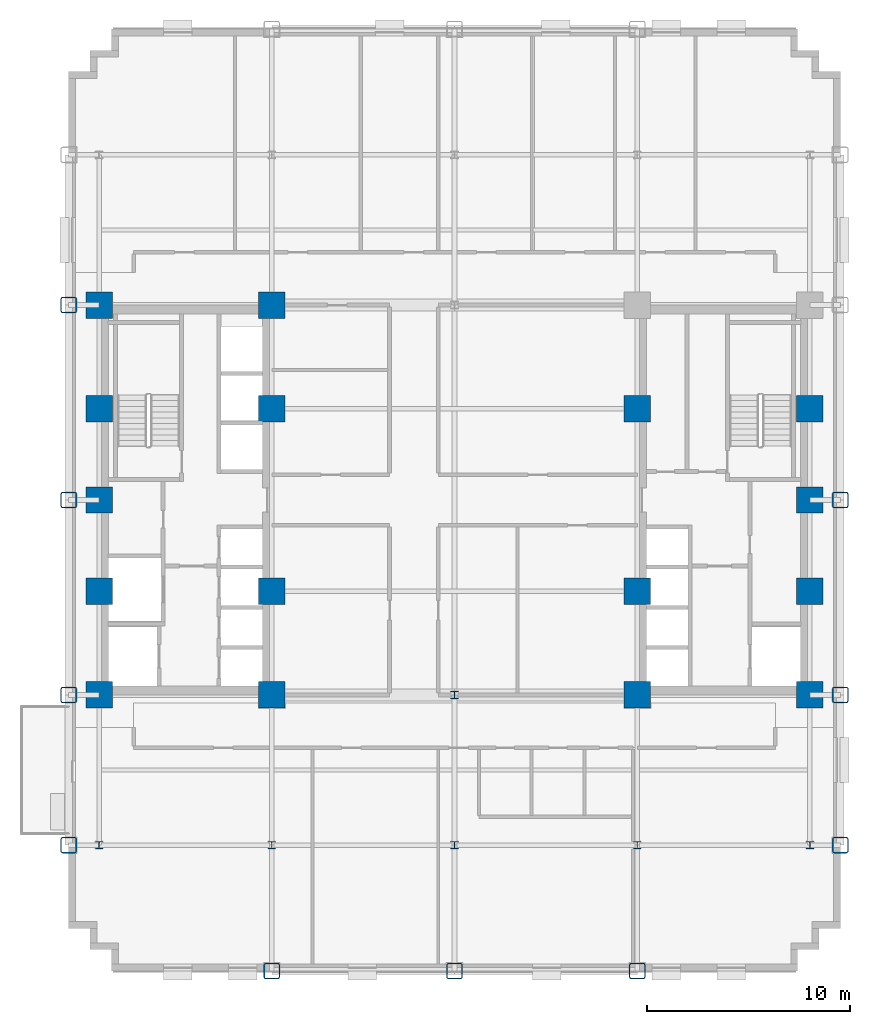
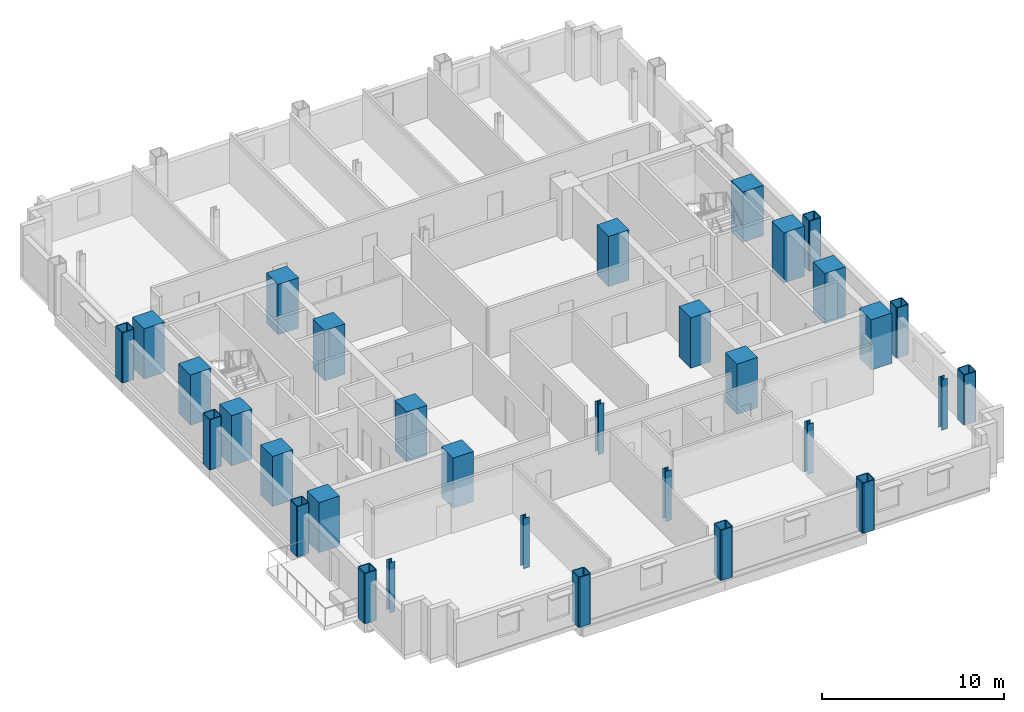
# One storey, part 1 of 12: 32 columns.
"""IFC4 building model written with IfcOpenShell, lengths in metres."""

from ifc_helpers import new_model, si_unit, direction, frame, origin, origin_2d, place, context, subcontext, project, spatial, rectangle, hollow_rectangle, i_section, extrude, material, material_profile, profile_set, type_object, element, save


model = new_model("IFC4")

# Units and contexts
model_context = context("Model", 3, precision=1e-05, world=origin(), true_north=direction((0.0, 1.0)))
body_context = subcontext(model_context, "Body", "Model", "MODEL_VIEW")
ifc_project = project(units=[si_unit("LENGTHUNIT", "METRE"), si_unit("AREAUNIT", "SQUARE_METRE"), si_unit("VOLUMEUNIT", "CUBIC_METRE"), si_unit("PLANEANGLEUNIT", "RADIAN"), si_unit("MASSUNIT", "GRAM", prefix="KILO")], contexts=[model_context])

# Site, building, storey
site_placement = place(None, origin())
site = spatial("IfcSite", under=ifc_project, at=site_placement, CompositionType="ELEMENT")
building_placement = place(site_placement, origin())
building = spatial("IfcBuilding", under=site, at=building_placement, Name="Nuvemarco Arch Tower", CompositionType="ELEMENT")
storey_placement = place(building_placement, frame((0.0, 0.0, 38.550048828125)))
storey = spatial("IfcBuildingStorey", under=building, at=storey_placement, Name="L09", CompositionType="ELEMENT", Elevation=38.550048828125)

# Columns
ifc_material_1 = material(Name="Concrete C60/75", Category="concrete")
ifc_material_profile_1 = material_profile(ifc_material_1, rectangle(XDim=1.300048828125, YDim=1.300048828125, at=origin_2d()), Name="RC-COL-1300x1300")
ifc_profile_set_1 = profile_set([ifc_material_profile_1], Name="Concrete C60/75")
column_type_1 = type_object("IfcColumnType", Name="COL-CORE-1300", PredefinedType="COLUMN", material=ifc_profile_set_1)
for number, where, z_axis, x_axis, name in (
    (1, (-17.5, -9.60009765625, 0.0), (0.0, 0.0, 1.0), (1.0, 0.0, 0.0), "L09 column CC_-17.5_-9.6"),
    (2, (-17.5, -4.5, 0.0), (0.0, 0.0, 1.0), (1.0, 0.0, 0.0), "L09 column CC_-17.5_-4.5"),
    (3, (-17.5, 4.5, 0.0), (0.0, 0.0, 1.0), (1.0, 0.0, 0.0), "L09 column CC_-17.5_+4.5"),
    (4, (-17.5, 9.60009765625, 0.0), (0.0, 0.0, 1.0), (1.0, 0.0, 0.0), "L09 column CC_-17.5_+9.6"),
    (5, (-9.0, -9.60009765625, 0.0), (0.0, 0.0, 1.0), (1.0, 0.0, 0.0), "L09 column CC_-9.0_-9.6"),
    (6, (-9.0, -4.5, 0.0), (0.0, 0.0, 1.0), (1.0, 0.0, 0.0), "L09 column CC_-9.0_-4.5"),
    (7, (-9.0, 4.5, 0.0), (0.0, 0.0, 1.0), (1.0, 0.0, 0.0), "L09 column CC_-9.0_+4.5"),
    (8, (-9.0, 9.60009765625, 0.0), (0.0, 0.0, 1.0), (1.0, 0.0, 0.0), "L09 column CC_-9.0_+9.6"),
    (9, (9.0, -9.60009765625, 0.0), (0.0, 0.0, 1.0), (1.0, 0.0, 0.0), "L09 column CC_+9.0_-9.6"),
    (10, (9.0, -4.5, 0.0), (0.0, 0.0, 1.0), (1.0, 0.0, 0.0), "L09 column CC_+9.0_-4.5"),
    (11, (9.0, 4.5, 0.0), (0.0, 0.0, 1.0), (1.0, 0.0, 0.0), "L09 column CC_+9.0_+4.5"),
    (12, (17.5, -9.60009765625, 0.0), (0.0, 0.0, 1.0), (1.0, 0.0, 0.0), "L09 column CC_+17.5_-9.6"),
    (13, (17.5, -4.5, 0.0), (0.0, 0.0, 1.0), (1.0, 0.0, 0.0), "L09 column CC_+17.5_-4.5"),
    (14, (17.5, 4.5, 0.0), (0.0, 0.0, 1.0), (1.0, 0.0, 0.0), "L09 column CC_+17.5_+4.5"),
    (15, (-17.5, 0.0, 0.0), (0.0, 0.0, 1.0), (1.0, 0.0, 0.0), "L09 column CC_-17.5_+0.0"),
    (16, (17.5, 0.0, 0.0), (0.0, 0.0, 1.0), (1.0, 0.0, 0.0), "L09 column CC_+17.5_+0.0"),
):
    element("IfcColumn", number, at=place(storey_placement, frame(where, z_axis=z_axis, x_axis=x_axis)), inside=storey, type_object=column_type_1, Name=name, PredefinedType="COLUMN", context=body_context, shape_type="SweptSolid", body=[
        extrude(rectangle(XDim=1.300048828125, YDim=1.300048828125, at=origin_2d()), origin(), (0.0, 0.0, 1.0), 3.369873046875),
    ])
ifc_material_2 = material(Name="Steel S460", Category="steel")
ifc_material_profile_2 = material_profile(ifc_material_2, hollow_rectangle(XDim=0.800048828125, YDim=0.800048828125, WallThickness=0.054931640625, InnerFilletRadius=0.054931640625, OuterFilletRadius=0.110107421875, at=origin_2d()), Name="SHS800x800x55")
ifc_profile_set_2 = profile_set([ifc_material_profile_2], Name="Steel S460")
column_type_2 = type_object("IfcColumnType", Name="COL-EXO-800", PredefinedType="COLUMN", material=ifc_profile_set_2)
for number, where, z_axis, x_axis, name in (
    (17, (-19.0, -17.0, 0.0), (0.0, 0.0, 1.0), (1.0, 0.0, 0.0), "L09 column CX_-19.0_-17.0"),
    (18, (-19.0, -9.60009765625, 0.0), (0.0, 0.0, 1.0), (1.0, 0.0, 0.0), "L09 column CX_-19.0_-9.6"),
    (19, (-19.0, 0.0, 0.0), (0.0, 0.0, 1.0), (1.0, 0.0, 0.0), "L09 column CX_-19.0_+0.0"),
    (20, (-19.0, 9.60009765625, 0.0), (0.0, 0.0, 1.0), (1.0, 0.0, 0.0), "L09 column CX_-19.0_+9.6"),
    (21, (19.0, -17.0, 0.0), (0.0, 0.0, 1.0), (1.0, 0.0, 0.0), "L09 column CX_+19.0_-17.0"),
    (22, (19.0, -9.60009765625, 0.0), (0.0, 0.0, 1.0), (1.0, 0.0, 0.0), "L09 column CX_+19.0_-9.6"),
    (23, (19.0, 0.0, 0.0), (0.0, 0.0, 1.0), (1.0, 0.0, 0.0), "L09 column CX_+19.0_+0.0"),
    (24, (-9.0, -23.199951171875, 0.0), (0.0, 0.0, 1.0), (1.0, 0.0, 0.0), "L09 column CY_-9.0_-23.2"),
    (25, (0.0, -23.199951171875, 0.0), (0.0, 0.0, 1.0), (1.0, 0.0, 0.0), "L09 column CY_+0.0_-23.2"),
    (26, (9.0, -23.199951171875, 0.0), (0.0, 0.0, 1.0), (1.0, 0.0, 0.0), "L09 column CY_+9.0_-23.2"),
):
    element("IfcColumn", number, at=place(storey_placement, frame(where, z_axis=z_axis, x_axis=x_axis)), inside=storey, type_object=column_type_2, Name=name, PredefinedType="COLUMN", context=body_context, shape_type="SweptSolid", body=[
        extrude(hollow_rectangle(XDim=0.800048828125, YDim=0.800048828125, WallThickness=0.054931640625, InnerFilletRadius=0.054931640625, OuterFilletRadius=0.110107421875, at=origin_2d()), origin(), (0.0, 0.0, 1.0), 3.369873046875),
    ])
ifc_material_3 = material(Name="Steel S355", Category="steel")
ifc_material_profile_3 = material_profile(ifc_material_3, i_section(OverallWidth=0.360107421875, OverallDepth=0.360107421875, WebThickness=0.0205078125, FlangeThickness=0.0205078125, FilletRadius=0.01806640625, at=origin_2d()), Name="HP360x174")
ifc_profile_set_3 = profile_set([ifc_material_profile_3], Name="Steel S355")
column_type_3 = type_object("IfcColumnType", Name="COL-STL-HP360", PredefinedType="COLUMN", material=ifc_profile_set_3)
for number, where, z_axis, x_axis, name in (
    (27, (0.0, -17.0, 0.0), (0.0, 0.0, 1.0), (1.0, 0.0, 0.0), "L09 column CI_+0.0_-17.0"),
    (28, (0.0, -9.60009765625, 0.0), (0.0, 0.0, 1.0), (1.0, 0.0, 0.0), "L09 column CI_+0.0_-9.6"),
    (29, (-17.5, -17.0, 0.0), (0.0, 0.0, 1.0), (1.0, 0.0, 0.0), "L09 column CI_-17.5_-17.0"),
    (30, (-9.0, -17.0, 0.0), (0.0, 0.0, 1.0), (1.0, 0.0, 0.0), "L09 column CI_-9.0_-17.0"),
    (31, (9.0, -17.0, 0.0), (0.0, 0.0, 1.0), (1.0, 0.0, 0.0), "L09 column CI_+9.0_-17.0"),
    (32, (17.5, -17.0, 0.0), (0.0, 0.0, 1.0), (1.0, 0.0, 0.0), "L09 column CI_+17.5_-17.0"),
):
    element("IfcColumn", number, at=place(storey_placement, frame(where, z_axis=z_axis, x_axis=x_axis)), inside=storey, type_object=column_type_3, Name=name, PredefinedType="COLUMN", context=body_context, shape_type="SweptSolid", body=[
        extrude(i_section(OverallWidth=0.360107421875, OverallDepth=0.360107421875, WebThickness=0.0205078125, FlangeThickness=0.0205078125, FilletRadius=0.01806640625, at=origin_2d()), origin(), (0.0, 0.0, 1.0), 3.369873046875),
    ])

save(model, "model.ifc")
